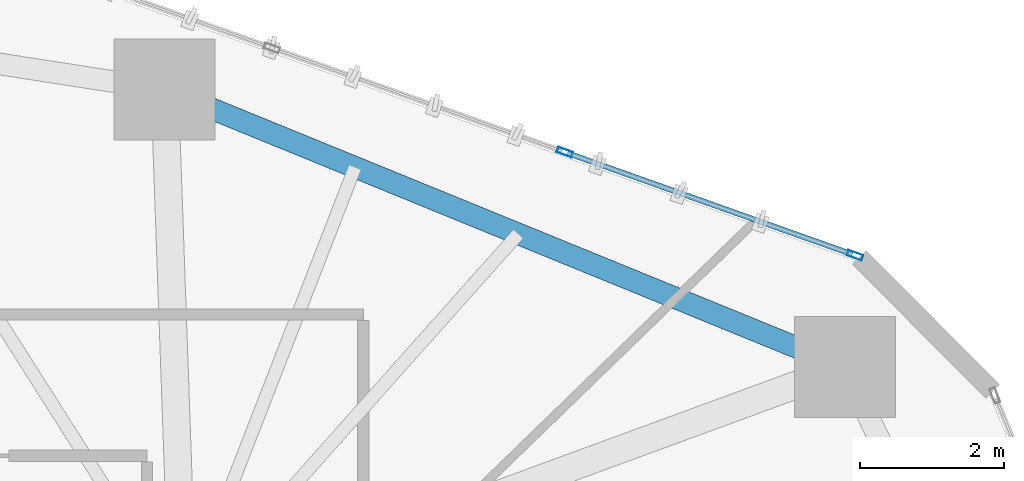
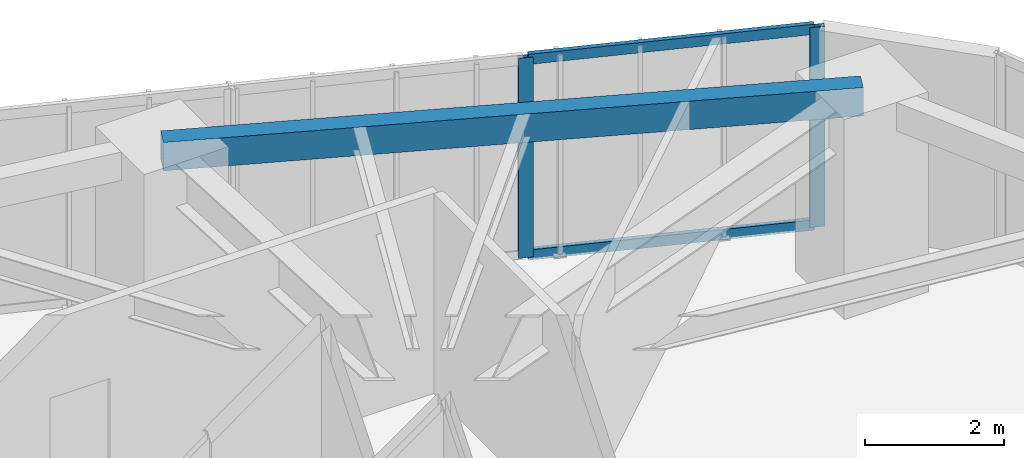
# One storey, part 17 of 24: 4 members, 1 beam, 1 element without a shape of its own.
"""IFC4 building model written with IfcOpenShell, lengths in metres."""

from ifc_helpers import new_model, si_unit, direction, frame, origin, origin_2d, place, context, subcontext, project, spatial, hollow_rectangle, extrude, source, transform, mapped, material, layer, layer_set, material_profile, profile_set, type_object, type_shapes, element, aggregate, save


model = new_model("IFC4")

# Units and contexts
model_context = context("Model", 3, precision=1e-05, world=origin(), true_north=direction((0.0, 1.0)))
body_context = subcontext(model_context, "Body", "Model", "MODEL_VIEW")
ifc_project = project(units=[si_unit("LENGTHUNIT", "METRE"), si_unit("AREAUNIT", "SQUARE_METRE"), si_unit("VOLUMEUNIT", "CUBIC_METRE"), si_unit("PLANEANGLEUNIT", "RADIAN"), si_unit("MASSUNIT", "GRAM", prefix="KILO")], contexts=[model_context])

# Site, building, storey
site_placement = place(None, origin())
site = spatial("IfcSite", under=ifc_project, at=site_placement, CompositionType="ELEMENT")
building_placement = place(site_placement, origin())
building = spatial("IfcBuilding", under=site, at=building_placement, Name="Talar Marvaseh", CompositionType="ELEMENT")
storey_placement = place(building_placement, frame((0.0, 0.0, 31.60009765625)))
storey = spatial("IfcBuildingStorey", under=building, at=storey_placement, Name="L07", CompositionType="ELEMENT", Elevation=31.60009765625)

# Beam
ifc_material_1 = material(Name="Steel S355", Category="steel")
ifc_material_profile_1 = material_profile(ifc_material_1, hollow_rectangle(XDim=0.300048828125, YDim=0.5, WallThickness=0.02001953125, at=origin_2d()), Name="RHS500x300x20")
ifc_profile_set_1 = profile_set([ifc_material_profile_1], Name="Steel S355")
beam_type = type_object("IfcBeamType", Name="Zone 1 Perimeter Spandrel Beam RHS500x300x20", PredefinedType="SPANDREL", material=ifc_profile_set_1)
beam_placement = place(storey_placement, frame((33.0458984375, 44.117919921875, 3.27001953125), z_axis=(0.92586732306, -0.377848779395, 0.0), x_axis=(0.377848779395, 0.92586732306, 0.0)))
element("IfcBeam", 1, at=beam_placement, inside=storey, type_object=beam_type, Name="L07 Zone 1 Perimeter Spandrel Beam RHS500x300x20", PredefinedType="SPANDREL", context=body_context, shape_type="SweptSolid", body=[
    extrude(hollow_rectangle(XDim=0.300048828125, YDim=0.5, WallThickness=0.02001953125, at=origin_2d()), origin(), (0.0, 0.0, 1.0), 10.186279296875),
])

# Curtain wall, members
ifc_material_2 = material(Name="Architectural Aluminium", Category="aluminium")
ifc_layer = layer(ifc_material_2, 0.219970703125)
ifc_layer_set = layer_set([ifc_layer], Name="Architectural Aluminium")
curtain_wall_type = type_object("IfcCurtainWallType", Name="Unitised Low-E Museum Curtain Wall Z1", PredefinedType="NOTDEFINED", material=ifc_layer_set)
curtain_wall_placement = place(storey_placement, origin())
curtain_wall = element("IfcCurtainWall", 2, at=curtain_wall_placement, inside=storey, type_object=curtain_wall_type, Name="L07 Unitised Low-E Museum Curtain Wall Z1", PredefinedType="NOTDEFINED")
ifc_material_profile_2 = material_profile(ifc_material_2, hollow_rectangle(XDim=0.080078125, YDim=0.219970703125, WallThickness=0.0048828125, at=origin_2d()), Name="RHS220x80x5")
ifc_profile_set_2 = profile_set([ifc_material_profile_2], Name="Architectural Aluminium")
member_type_1 = type_object("IfcMemberType", Name="Unitised Curtain Wall Heavy Mullion RHS220x80x5", PredefinedType="MULLION", material=ifc_profile_set_2)
shared_shape_1 = source(origin(), body_context, "Body", "SweptSolid", [
    extrude(hollow_rectangle(XDim=0.080078125, YDim=0.219970703125, WallThickness=0.0048828125, at=origin_2d()), origin(), (0.0, 0.0, 1.0), 3.52001953125),
])
type_shapes(member_type_1, [shared_shape_1])
member_1_placement = place(storey_placement, frame((38.593505859375, 43.249755859375, 0.0), z_axis=(0.0, 0.0, 1.0), x_axis=(0.334923421678, 0.942245351069, 0.0)))
member_1 = element("IfcMember", 3, at=member_1_placement, type_object=member_type_1, Name="CW-Z1 mullion 4", PredefinedType="MULLION", context=body_context, shape_type="MappedRepresentation", body=[
    mapped(shared_shape_1, transform((0.0, 0.0, 0.0), x_axis=(1.0, 0.0, 0.0), y_axis=(0.0, 1.0, 0.0), z_axis=(0.0, 0.0, 1.0), scale=1.0)),
])
member_2_placement = place(storey_placement, frame((42.61865234375, 41.819091796875, 0.0), z_axis=(0.0, 0.0, 1.0), x_axis=(0.334923421678, 0.942245351069, 0.0)))
member_2 = element("IfcMember", 4, at=member_2_placement, type_object=member_type_1, Name="CW-Z1 mullion 5", PredefinedType="MULLION", context=body_context, shape_type="MappedRepresentation", body=[
    mapped(shared_shape_1, transform((0.0, 0.0, 0.0), x_axis=(1.0, 0.0, 0.0), y_axis=(0.0, 1.0, 0.0), z_axis=(0.0, 0.0, 1.0), scale=1.0)),
])
ifc_material_profile_3 = material_profile(ifc_material_2, hollow_rectangle(XDim=0.074951171875, YDim=0.179931640625, WallThickness=0.0048828125, at=origin_2d()), Name="RHS180x75x5")
ifc_profile_set_3 = profile_set([ifc_material_profile_3], Name="Architectural Aluminium")
member_type_2 = type_object("IfcMemberType", Name="Unitised Curtain Wall Transom RHS180x75x5", PredefinedType="USERDEFINED", material=ifc_profile_set_3)
shared_shape_2 = source(origin(), body_context, "Body", "SweptSolid", [
    extrude(hollow_rectangle(XDim=0.074951171875, YDim=0.179931640625, WallThickness=0.0048828125, at=origin_2d()), origin(), (0.0, 0.0, 1.0), 4.19189453125),
])
type_shapes(member_type_2, [shared_shape_2])
member_3_placement = place(storey_placement, frame((38.63134765625, 43.236572265625, 0.037353515625), z_axis=(0.942236340688, -0.334948769644, 0.0), x_axis=(0.334948769644, 0.942236340688, 0.0)))
member_3 = element("IfcMember", 5, at=member_3_placement, type_object=member_type_2, Name="CW-Z1 transom 4.1", ObjectType="TRANSOM", PredefinedType="USERDEFINED", context=body_context, shape_type="MappedRepresentation", body=[
    mapped(shared_shape_2, transform((0.0, 0.0, 0.0), x_axis=(1.0, 0.0, 0.0), y_axis=(0.0, 1.0, 0.0), z_axis=(0.0, 0.0, 1.0), scale=1.0)),
])
member_4_placement = place(storey_placement, frame((38.63134765625, 43.236572265625, 3.482421875), z_axis=(0.942236340688, -0.334948769644, 0.0), x_axis=(0.334948769644, 0.942236340688, 0.0)))
member_4 = element("IfcMember", 6, at=member_4_placement, type_object=member_type_2, Name="CW-Z1 transom 4.2", ObjectType="TRANSOM", PredefinedType="USERDEFINED", context=body_context, shape_type="MappedRepresentation", body=[
    mapped(shared_shape_2, transform((0.0, 0.0, 0.0), x_axis=(1.0, 0.0, 0.0), y_axis=(0.0, 1.0, 0.0), z_axis=(0.0, 0.0, 1.0), scale=1.0)),
])
aggregate(curtain_wall, [member_1, member_2, member_3, member_4])

save(model, "model.ifc")
